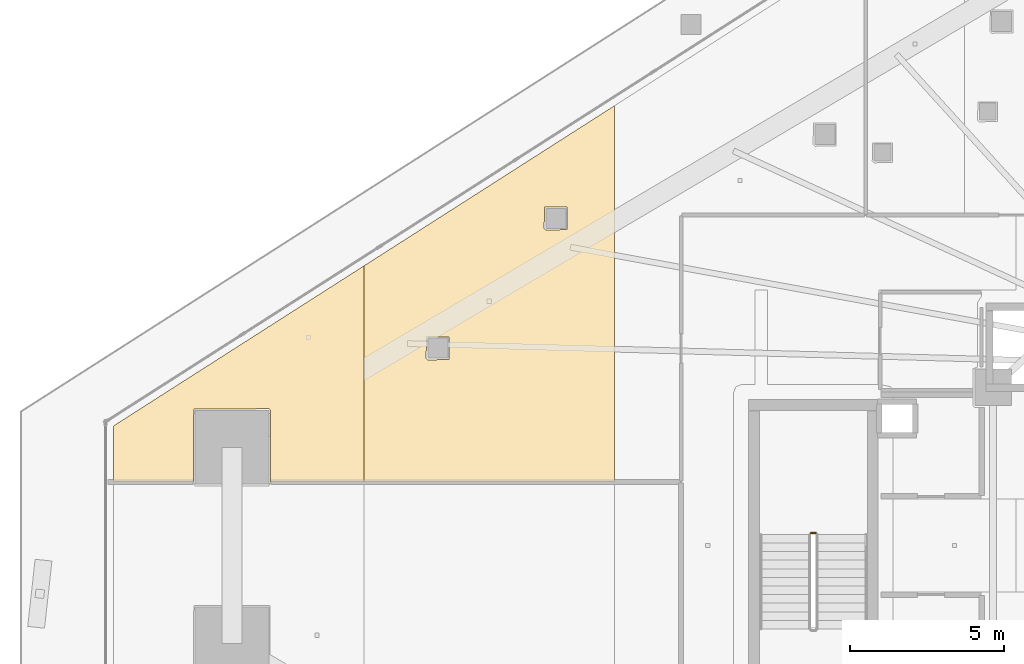
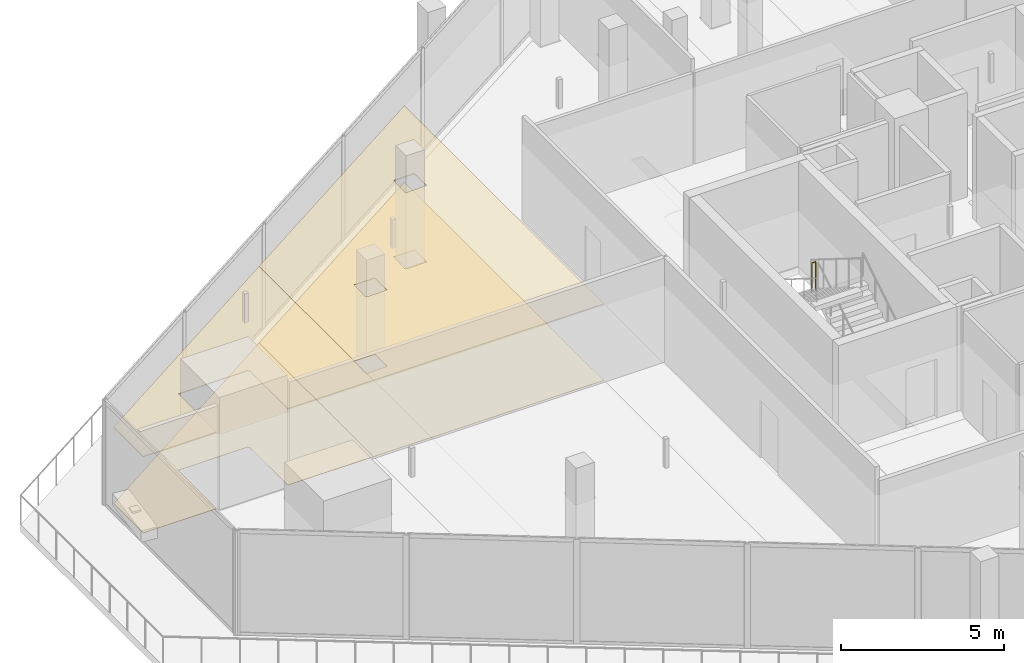
# One storey, part 40 of 44: 4 coverings, 1 railing.
"""IFC4 building model written with IfcOpenShell, lengths in metres."""

import ifcopenshell
import ifcopenshell.guid

model = None  # the IFC model being written
_history = None  # IfcOwnerHistory: only IFC2X3 demands one
_inside = {}  # id of a spatial element -> (the spatial element, [elements in it])
_under = {}  # id of a project, library or spatial element -> (it, [spatial elements below it])
_declared = {}  # id of a project -> (the project, [libraries it declares])
_typed = {}  # id of a type object -> (the type object, [elements of that type])
_made_of = {}  # id of a material, layer set ... -> (it, [elements and type objects made of it])


def new_model(schema):
    """Start an empty IFC model of exactly this schema.

    Asked for "IFC4X3", IfcOpenShell would pick the latest addendum, in which some entities
    have other attributes; the version numbers below select the first issue.
    IFC2X3 requires an IfcOwnerHistory on every rooted entity: one is made here for all.
    """
    global model, _history
    if schema == "IFC4X3":
        model = ifcopenshell.file(schema_version=(4, 3, 0, 0))
    else:
        model = ifcopenshell.file(schema=schema)
    _inside.clear()
    _under.clear()
    _declared.clear()
    _typed.clear()
    _made_of.clear()
    _history = None
    if model.schema == "IFC2X3":
        org = make("IfcOrganization", Name="unknown")
        user = make(
            "IfcPersonAndOrganization",
            ThePerson=make("IfcPerson", FamilyName="unknown"),
            TheOrganization=org,
        )
        app = make(
            "IfcApplication",
            ApplicationDeveloper=org,
            Version="unknown",
            ApplicationFullName="unknown",
            ApplicationIdentifier="unknown",
        )
        _history = make(
            "IfcOwnerHistory",
            OwningUser=user,
            OwningApplication=app,
            ChangeAction="ADDED",
            CreationDate=0,
        )
    return model


def make(cls, **values):
    """One entity of the class cls with the attributes given. An attribute that is None is left unset."""
    return model.create_entity(
        cls, **{name: value for name, value in values.items() if value is not None}
    )


def rooted(cls, **values):
    """An entity with a GlobalId (a new one), such as an element, a storey or a relation."""
    return make(cls, GlobalId=ifcopenshell.guid.new(), OwnerHistory=_history, **values)


def si_unit(unit_type, name, prefix=None):
    """IfcSIUnit, for example si_unit("LENGTHUNIT", "METRE", prefix="MILLI")."""
    return make("IfcSIUnit", UnitType=unit_type, Prefix=prefix, Name=name)


def assignment(units):
    """IfcUnitAssignment: the units of a project."""
    return None if units is None else make("IfcUnitAssignment", Units=units)


def point(xyz):
    """IfcCartesianPoint."""
    return None if xyz is None else make("IfcCartesianPoint", Coordinates=xyz)


def direction(xyz):
    """IfcDirection."""
    return None if xyz is None else make("IfcDirection", DirectionRatios=xyz)


def frame(location, z_axis=None, x_axis=None):
    """IfcAxis2Placement3D, a coordinate frame: its origin and axes. An axis left out is left unset."""
    return make(
        "IfcAxis2Placement3D",
        Location=point(location),
        Axis=direction(z_axis),
        RefDirection=direction(x_axis),
    )


def frame_2d(location, x_axis=None):
    """IfcAxis2Placement2D, a coordinate frame in the plane: its origin and x axis."""
    return make(
        "IfcAxis2Placement2D", Location=point(location), RefDirection=direction(x_axis)
    )


def origin():
    """The frame at (0, 0, 0) with its axes left unset."""
    return frame((0.0, 0.0, 0.0))


def origin_2d():
    """The frame at (0, 0) in the plane with its x axis left unset."""
    return frame_2d((0.0, 0.0))


def place(relative_to, where):
    """IfcLocalPlacement: puts the frame where relative to a parent placement (None: the world)."""
    return make(
        "IfcLocalPlacement", PlacementRelTo=relative_to, RelativePlacement=where
    )


def context(
    kind, dimensions, precision=None, world=None, true_north=None, identifier=None
):
    """IfcGeometricRepresentationContext, for example the 3D "Model" context."""
    return make(
        "IfcGeometricRepresentationContext",
        ContextIdentifier=identifier,
        ContextType=kind,
        CoordinateSpaceDimension=dimensions,
        Precision=precision,
        WorldCoordinateSystem=world,
        TrueNorth=true_north,
    )


def subcontext(parent, identifier, kind, view, scale=None):
    """IfcGeometricRepresentationSubContext, for example "Body" below "Model"."""
    return make(
        "IfcGeometricRepresentationSubContext",
        ContextIdentifier=identifier,
        ContextType=kind,
        ParentContext=parent,
        TargetScale=scale,
        TargetView=view,
    )


def project(units=None, contexts=None):
    """IfcProject with its units and contexts."""
    return rooted(
        "IfcProject",
        Name="project",
        RepresentationContexts=contexts,
        UnitsInContext=assignment(units),
    )


def spatial(cls, under=None, at=None, **own):
    """A site, building, storey or space (cls), placed at a placement, below another one or the project."""
    s = rooted(cls, ObjectPlacement=at, **own)
    if under is not None:
        _under.setdefault(under.id(), (under, []))[1].append(s)
    return s


def polyline(points):
    """IfcPolyline through the points."""
    return make("IfcPolyline", Points=[point(p) for p in points])


def profile(cls, at=None, kind="AREA", **sizes):
    """A parametric profile (cls). Its sizes go by their IFC names, for example OverallWidth=200.0."""
    return make(cls, ProfileType=kind, Position=at, **sizes)


def circle(**sizes):
    """IfcCircleProfileDef."""
    return profile("IfcCircleProfileDef", **sizes)


def outline(outer, holes=None, kind="AREA"):
    """IfcArbitraryClosedProfileDef: a profile drawn as a closed curve; with holes, ...WithVoids."""
    if holes is None:
        return make("IfcArbitraryClosedProfileDef", ProfileType=kind, OuterCurve=outer)
    return make(
        "IfcArbitraryProfileDefWithVoids",
        ProfileType=kind,
        OuterCurve=outer,
        InnerCurves=holes,
    )


def extrude(swept, where, along, depth):
    """IfcExtrudedAreaSolid: the profile swept, set in the frame where, extruded along a direction by depth."""
    return make(
        "IfcExtrudedAreaSolid",
        SweptArea=swept,
        Position=where,
        ExtrudedDirection=direction(along),
        Depth=depth,
    )


def shape(context_of_items, identifier, shape_type, items):
    """IfcShapeRepresentation: the items that make up one representation, for example the "Body"."""
    return make(
        "IfcShapeRepresentation",
        ContextOfItems=context_of_items,
        RepresentationIdentifier=identifier,
        RepresentationType=shape_type,
        Items=items,
    )


def material(Name=None, Category=None):
    """IfcMaterial."""
    return make("IfcMaterial", Name=Name, Category=Category)


def layer(
    of_material, thickness, ventilated=None, Name=None, Category=None, Priority=None
):
    """IfcMaterialLayer: one layer of a wall or slab, of a material (None: an air gap)."""
    return make(
        "IfcMaterialLayer",
        Material=of_material,
        LayerThickness=thickness,
        IsVentilated=ventilated,
        Name=Name,
        Category=Category,
        Priority=Priority,
    )


def layer_set(layers, Name=None):
    """IfcMaterialLayerSet."""
    return make("IfcMaterialLayerSet", MaterialLayers=layers, LayerSetName=Name)


def made_of(thing, what):
    """Note that an element or type object is made of a material, layer set ...; save() writes the relation."""
    if what is not None:
        _made_of.setdefault(what.id(), (what, []))[1].append(thing)
    return thing


def type_object(cls, material=None, **own):
    """A type object (cls), such as IfcWallType, which elements share."""
    return made_of(rooted(cls, **own), material)


def element(
    cls,
    number,
    at=None,
    inside=None,
    cuts=None,
    type_object=None,
    material=None,
    context=None,
    identifier="Body",
    shape_type=None,
    held_by="IfcProductDefinitionShape",
    body=None,
    shapes=None,
    **own,
):
    """One element of the class cls, such as IfcWall. Its Tag is "e" and its number.

    at: its placement. inside: the storey or other place that contains it. cuts: it is an
    opening in that element (IfcRelVoidsElement). A single representation is given by context,
    identifier, shape_type and body (its items); several are given by shapes. held_by: the class
    of the entity that holds the representations. save() writes the other relations.
    """
    e = rooted(cls, Tag="e%d" % number, ObjectPlacement=at, **own)
    if body is not None:
        shapes = [shape(context, identifier, shape_type, body)]
    if shapes is not None:
        e.Representation = make(held_by, Representations=shapes)
    if inside is not None:
        _inside.setdefault(inside.id(), (inside, []))[1].append(e)
    if cuts is not None:
        rooted(
            "IfcRelVoidsElement", RelatingBuildingElement=cuts, RelatedOpeningElement=e
        )
    if type_object is not None:
        _typed.setdefault(type_object.id(), (type_object, []))[1].append(e)
    return made_of(e, material)


def aggregate(whole, parts):
    """IfcRelAggregates: a whole, such as a stair, and the parts it consists of."""
    return rooted("IfcRelAggregates", RelatingObject=whole, RelatedObjects=parts)


def save(model, path):
    """Write the relations noted so far, then the file.

    IfcRelAggregates (storeys below a building ...), IfcRelContainedInSpatialStructure (elements
    in a storey), IfcRelDefinesByType, IfcRelAssociatesMaterial and IfcRelDeclares: one each for
    every whole, place, type object, material and project.
    """
    for whole, parts in _under.values():
        aggregate(whole, parts)
    for where, things in _inside.values():
        rooted(
            "IfcRelContainedInSpatialStructure",
            RelatedElements=things,
            RelatingStructure=where,
        )
    for kind, things in _typed.values():
        rooted("IfcRelDefinesByType", RelatedObjects=things, RelatingType=kind)
    for what, things in _made_of.values():
        rooted("IfcRelAssociatesMaterial", RelatedObjects=things, RelatingMaterial=what)
    for by, libraries in _declared.values():
        rooted("IfcRelDeclares", RelatingContext=by, RelatedDefinitions=libraries)
    model.write(path)


model = new_model("IFC4")

# Units and contexts
model_context = context("Model", 3, precision=1e-05, world=origin(), true_north=direction((0.0, 1.0)))
body_context = subcontext(model_context, "Body", "Model", "MODEL_VIEW")
ifc_project = project(units=[si_unit("LENGTHUNIT", "METRE"), si_unit("AREAUNIT", "SQUARE_METRE"), si_unit("VOLUMEUNIT", "CUBIC_METRE"), si_unit("PLANEANGLEUNIT", "RADIAN"), si_unit("MASSUNIT", "GRAM", prefix="KILO")], contexts=[model_context])

# Site, building, storey
site_placement = place(None, origin())
site = spatial("IfcSite", under=ifc_project, at=site_placement, CompositionType="ELEMENT")
building_placement = place(site_placement, origin())
building = spatial("IfcBuilding", under=site, at=building_placement, Name="Qorvath Tower", CompositionType="ELEMENT")
storey_placement = place(building_placement, frame((0.0, 0.0, 78.60009765625)))
storey = spatial("IfcBuildingStorey", under=building, at=storey_placement, Name="L17", CompositionType="ELEMENT", Elevation=78.60009765625)

# Coverings
ifc_material_1 = material(Name="Acoustic mineral fibre ceiling tile", Category="gypsum")
ifc_layer_1 = layer(ifc_material_1, 0.030029296875)
ifc_layer_set_1 = layer_set([ifc_layer_1], Name="COV-CEIL")
covering_type_1 = type_object("IfcCoveringType", Name="COV-CEIL", PredefinedType="CEILING", material=ifc_layer_set_1)
covering_1_placement = place(storey_placement, frame((0.0, 0.0, 2.849853515625)))
element("IfcCovering", 1, at=covering_1_placement, inside=storey, type_object=covering_type_1, Name="L17 Suspended Acoustic Ceiling 040", PredefinedType="CEILING", context=body_context, shape_type="SweptSolid", body=[
    extrude(outline(polyline([(-50.9814453125, 2.074951171875), (-50.9814453125, 9.105712890625), (-59.140625, 3.890869140625), (-59.140625, 2.074951171875), (-56.54296875, 2.074951171875), (-56.525390625, 4.43701171875), (-54.0830078125, 4.45458984375), (-54.02294921875, 4.39453125), (-54.02294921875, 2.074951171875), (-50.9814453125, 2.074951171875)])), origin(), (0.0, 0.0, 1.0), 0.030029296875),
])
covering_2_placement = place(storey_placement, frame((0.0, 0.0, 2.849853515625)))
element("IfcCovering", 2, at=covering_2_placement, inside=storey, type_object=covering_type_1, Name="L17 Suspended Acoustic Ceiling 041", PredefinedType="CEILING", context=body_context, shape_type="SweptSolid", body=[
    extrude(outline(polyline([(-42.822265625, 2.074951171875), (-42.822265625, 14.320556640625), (-50.9814453125, 9.105712890625), (-50.9814453125, 2.074951171875), (-42.822265625, 2.074951171875)]), holes=[polyline([(-45.121337890625, 10.327392578125), (-45.103759765625, 11.019775390625), (-44.368896484375, 11.019775390625), (-44.368896484375, 10.284912109375), (-45.061279296875, 10.267333984375), (-45.121337890625, 10.327392578125)]), polyline([(-48.96337890625, 6.099609375), (-48.94580078125, 6.7919921875), (-48.2109375, 6.7919921875), (-48.2109375, 6.05712890625), (-48.9033203125, 6.03955078125), (-48.96337890625, 6.099609375)])]), origin(), (0.0, 0.0, 1.0), 0.030029296875),
])
ifc_material_2 = material(Name="Low-VOC modular carpet tile", Category="textile")
ifc_layer_2 = layer(ifc_material_2, 0.014892578125)
ifc_layer_set_2 = layer_set([ifc_layer_2], Name="COV-FLOOR-CPT")
covering_type_2 = type_object("IfcCoveringType", Name="COV-FLOOR-CPT", PredefinedType="FLOORING", material=ifc_layer_set_2)
covering_3_placement = place(storey_placement, origin())
element("IfcCovering", 3, at=covering_3_placement, inside=storey, type_object=covering_type_2, Name="L17 Floor Finish 040", PredefinedType="FLOORING", context=body_context, shape_type="SweptSolid", body=[
    extrude(outline(polyline([(-50.9814453125, 2.074951171875), (-50.9814453125, 9.105712890625), (-59.140625, 3.890869140625), (-59.140625, 2.074951171875), (-56.54296875, 2.074951171875), (-56.525390625, 4.43701171875), (-54.0830078125, 4.45458984375), (-54.02294921875, 4.39453125), (-54.02294921875, 2.074951171875), (-50.9814453125, 2.074951171875)])), origin(), (0.0, 0.0, 1.0), 0.014892578125),
])
covering_4_placement = place(storey_placement, origin())
element("IfcCovering", 4, at=covering_4_placement, inside=storey, type_object=covering_type_2, Name="L17 Floor Finish 041", PredefinedType="FLOORING", context=body_context, shape_type="SweptSolid", body=[
    extrude(outline(polyline([(-42.822265625, 2.074951171875), (-42.822265625, 14.320556640625), (-50.9814453125, 9.105712890625), (-50.9814453125, 2.074951171875), (-42.822265625, 2.074951171875)]), holes=[polyline([(-45.121337890625, 10.327392578125), (-45.103759765625, 11.019775390625), (-44.368896484375, 11.019775390625), (-44.368896484375, 10.284912109375), (-45.061279296875, 10.267333984375), (-45.121337890625, 10.327392578125)]), polyline([(-48.96337890625, 6.099609375), (-48.94580078125, 6.7919921875), (-48.2109375, 6.7919921875), (-48.2109375, 6.05712890625), (-48.9033203125, 6.03955078125), (-48.96337890625, 6.099609375)])]), origin(), (0.0, 0.0, 1.0), 0.014892578125),
])

# Railing
ifc_material_3 = material(Name="Painted galvanised steel", Category="steel")
railing_type = type_object("IfcRailingType", Name="RL-STR-GRD", PredefinedType="GUARDRAIL", material=ifc_material_3)
railing_placement = place(storey_placement, frame((-36.280029296875, 0.409912109375, 2.099853515625)))
element("IfcRailing", 5, at=railing_placement, inside=storey, type_object=railing_type, Name="L17 TS3 stair guard 2", PredefinedType="GUARDRAIL", context=body_context, shape_type="SweptSolid", body=[
    extrude(circle(Radius=0.02392578125, at=origin_2d()), frame((0.0, 0.0, 1.076171875), z_axis=(-1.0, 0.0, 0.0), x_axis=(0.0, -1.0, 0.0)), (0.0, 0.0, 1.0), 0.14990234375),
    extrude(circle(Radius=0.02099609375, at=origin_2d()), origin(), (0.0, 0.0, 1.0), 1.052001953125),
    extrude(circle(Radius=0.02099609375, at=origin_2d()), frame((-0.14990234375, 0.0, 0.0)), (0.0, 0.0, 1.0), 1.052001953125),
])

save(model, "model.ifc")
